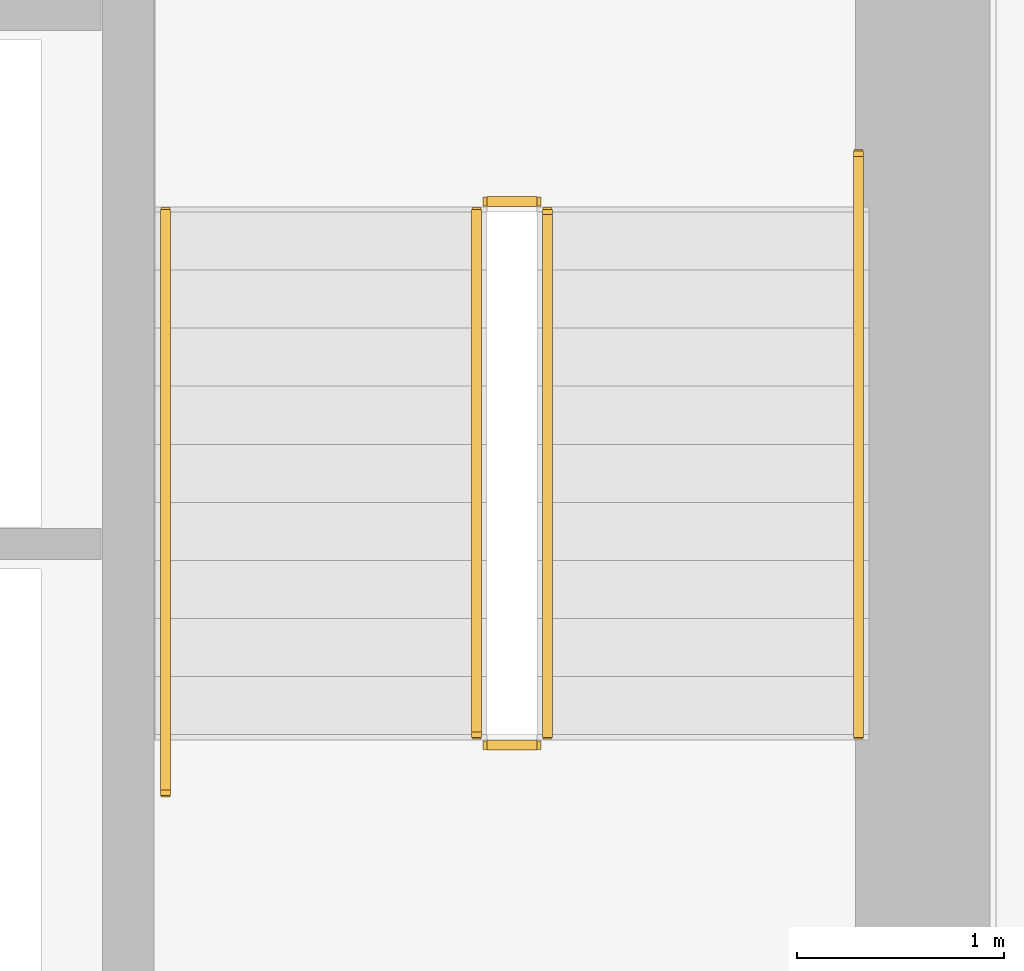
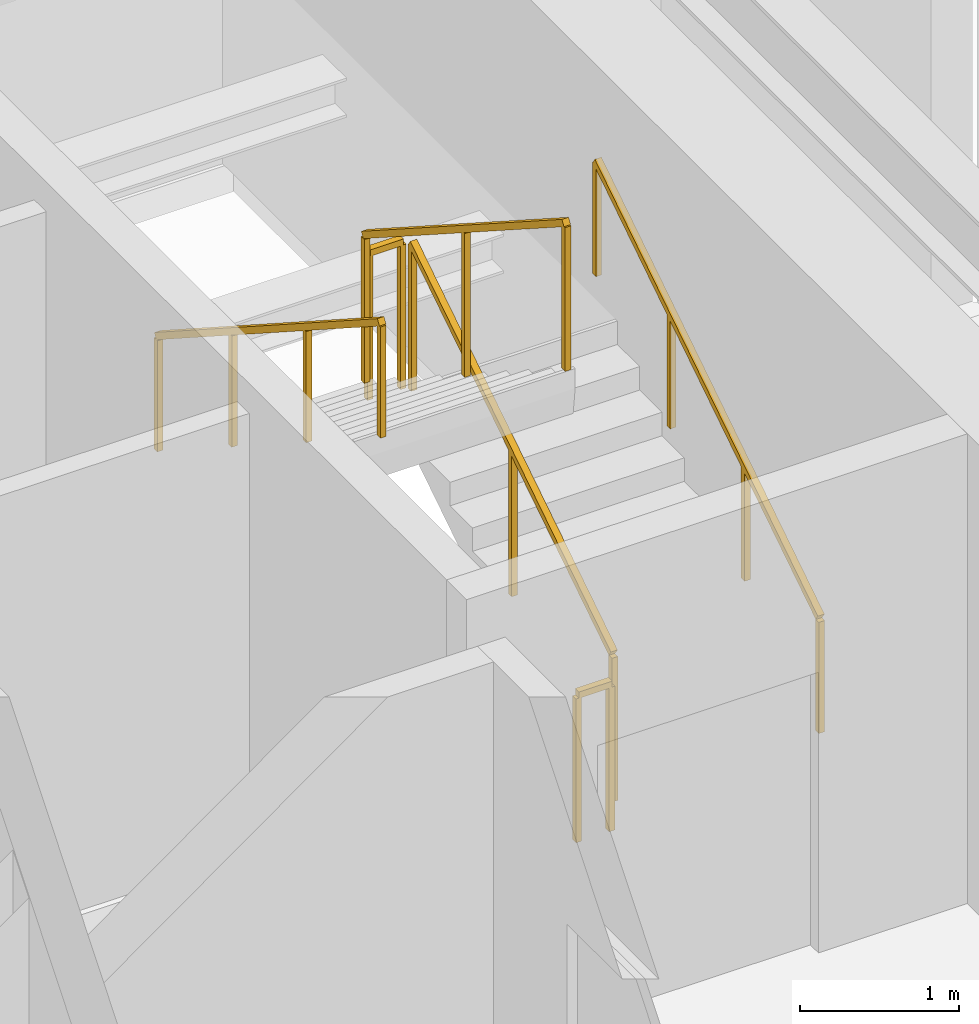
# One storey, part 26 of 27: 6 railings.
"""IFC4 building model written with IfcOpenShell, lengths in metres."""

from ifc_helpers import new_model, si_unit, direction, frame, origin, origin_2d, place, context, subcontext, project, spatial, rectangle, extrude, material, type_object, element, save


model = new_model("IFC4")

# Units and contexts
model_context = context("Model", 3, precision=1e-05, world=origin(), true_north=direction((0.0, 1.0)))
body_context = subcontext(model_context, "Body", "Model", "MODEL_VIEW")
ifc_project = project(units=[si_unit("LENGTHUNIT", "METRE"), si_unit("AREAUNIT", "SQUARE_METRE"), si_unit("VOLUMEUNIT", "CUBIC_METRE"), si_unit("PLANEANGLEUNIT", "RADIAN"), si_unit("MASSUNIT", "GRAM", prefix="KILO")], contexts=[model_context])

# Site, building, storey
site_placement = place(None, origin())
site = spatial("IfcSite", under=ifc_project, at=site_placement, CompositionType="ELEMENT")
building_placement = place(site_placement, origin())
building = spatial("IfcBuilding", under=site, at=building_placement, Name="Sumidabori Civic Tower", CompositionType="ELEMENT")
storey_placement = place(building_placement, frame((0.0, 0.0, 156.800048828125)))
storey = spatial("IfcBuildingStorey", under=building, at=storey_placement, Name="L40", CompositionType="ELEMENT", Elevation=156.800048828125)

# Railings
ifc_material_1 = material(Name="Stainless Steel Hairline Finish", Category="steel")
railing_type_1 = type_object("IfcRailingType", Name="RL-HANDRAIL", PredefinedType="HANDRAIL", material=ifc_material_1)
railing_1_placement = place(storey_placement, frame((15.2900390625, 16.0, 0.179931640625)))
element("IfcRailing", 1, at=railing_1_placement, inside=storey, type_object=railing_type_1, Name="L40 ST-2 stair handrail 1", PredefinedType="HANDRAIL", context=body_context, shape_type="SweptSolid", body=[
    extrude(rectangle(XDim=0.048095703125, YDim=0.048095703125, at=origin_2d()), frame((0.0, 0.0, 0.8759765625), z_axis=(0.0, 0.840675598268, 0.541539046124), x_axis=(-1.0, 0.0, 0.0)), (0.0, 0.0, 1.0), 3.330810546875),
    extrude(rectangle(XDim=0.0419921875, YDim=0.0419921875, at=origin_2d()), origin(), (0.0, 0.0, 1.0), 0.851806640625),
    extrude(rectangle(XDim=0.0419921875, YDim=0.0419921875, at=origin_2d()), frame((0.0, 0.933349609375, 0.601318359375)), (0.0, 0.0, 1.0), 0.851806640625),
    extrude(rectangle(XDim=0.0419921875, YDim=0.0419921875, at=origin_2d()), frame((0.0, 1.86669921875, 1.202392578125)), (0.0, 0.0, 1.0), 0.851806640625),
    extrude(rectangle(XDim=0.0419921875, YDim=0.0419921875, at=origin_2d()), frame((0.0, 2.800048828125, 1.8037109375)), (0.0, 0.0, 1.0), 0.851806640625),
])
railing_2_placement = place(storey_placement, frame((11.949951171875, 18.52001953125, 1.97998046875)))
element("IfcRailing", 2, at=railing_2_placement, inside=storey, type_object=railing_type_1, Name="L40 ST-2 stair handrail 2", PredefinedType="HANDRAIL", context=body_context, shape_type="SweptSolid", body=[
    extrude(rectangle(XDim=0.048095703125, YDim=0.048095703125, at=origin_2d()), frame((0.0, 0.0, 0.8759765625), z_axis=(0.0, -0.840675598268, 0.541539046124), x_axis=(1.0, 0.0, 0.0)), (0.0, 0.0, 1.0), 3.330810546875),
    extrude(rectangle(XDim=0.0419921875, YDim=0.0419921875, at=origin_2d()), origin(), (0.0, 0.0, 1.0), 0.851806640625),
    extrude(rectangle(XDim=0.0419921875, YDim=0.0419921875, at=origin_2d()), frame((0.0, -0.933349609375, 0.601318359375)), (0.0, 0.0, 1.0), 0.851806640625),
    extrude(rectangle(XDim=0.0419921875, YDim=0.0419921875, at=origin_2d()), frame((0.0, -1.86669921875, 1.202392578125)), (0.0, 0.0, 1.0), 0.851806640625),
    extrude(rectangle(XDim=0.0419921875, YDim=0.0419921875, at=origin_2d()), frame((0.0, -2.800048828125, 1.8037109375)), (0.0, 0.0, 1.0), 0.851806640625),
])
ifc_material_2 = material(Name="Steel SN490", Category="steel")
railing_type_2 = type_object("IfcRailingType", Name="RL-STAIR-GUARD", PredefinedType="GUARDRAIL", material=ifc_material_2)
railing_3_placement = place(storey_placement, frame((13.7900390625, 16.0, 0.179931640625)))
element("IfcRailing", 3, at=railing_3_placement, inside=storey, type_object=railing_type_2, Name="L40 ST-2 stair guard 1", PredefinedType="GUARDRAIL", context=body_context, shape_type="SweptSolid", body=[
    extrude(rectangle(XDim=0.048095703125, YDim=0.048095703125, at=origin_2d()), frame((0.0, 0.0, 1.1259765625), z_axis=(0.0, 0.841162588446, 0.540782303519), x_axis=(-1.0, 0.0, 0.0)), (0.0, 0.0, 1.0), 2.995849609375),
    extrude(rectangle(XDim=0.0419921875, YDim=0.0419921875, at=origin_2d()), origin(), (0.0, 0.0, 1.0), 1.101806640625),
    extrude(rectangle(XDim=0.0419921875, YDim=0.0419921875, at=origin_2d()), frame((0.0, 1.260009765625, 0.81005859375)), (0.0, 0.0, 1.0), 1.101806640625),
    extrude(rectangle(XDim=0.0419921875, YDim=0.0419921875, at=origin_2d()), frame((0.0, 2.52001953125, 1.6201171875)), (0.0, 0.0, 1.0), 1.101806640625),
])
railing_4_placement = place(storey_placement, frame((13.739990234375, 18.570068359375, 1.800048828125)))
element("IfcRailing", 4, at=railing_4_placement, inside=storey, type_object=railing_type_2, Name="L40 ST-2 stair guard 2", PredefinedType="GUARDRAIL", context=body_context, shape_type="SweptSolid", body=[
    extrude(rectangle(XDim=0.048095703125, YDim=0.048095703125, at=origin_2d()), frame((0.0, 0.0, 1.1259765625), z_axis=(-1.0, 0.0, 0.0), x_axis=(0.0, -1.0, 0.0)), (0.0, 0.0, 1.0), 0.239990234375),
    extrude(rectangle(XDim=0.0419921875, YDim=0.0419921875, at=origin_2d()), origin(), (0.0, 0.0, 1.0), 1.101806640625),
    extrude(rectangle(XDim=0.0419921875, YDim=0.0419921875, at=origin_2d()), frame((-0.239990234375, 0.0, 0.0)), (0.0, 0.0, 1.0), 1.101806640625),
])
railing_5_placement = place(storey_placement, frame((13.449951171875, 18.52001953125, 1.97998046875)))
element("IfcRailing", 5, at=railing_5_placement, inside=storey, type_object=railing_type_2, Name="L40 ST-2 stair guard 3", PredefinedType="GUARDRAIL", context=body_context, shape_type="SweptSolid", body=[
    extrude(rectangle(XDim=0.048095703125, YDim=0.048095703125, at=origin_2d()), frame((0.0, 0.0, 1.1259765625), z_axis=(0.0, -0.841199657755, 0.540724639528), x_axis=(1.0, 0.0, 0.0)), (0.0, 0.0, 1.0), 2.995849609375),
    extrude(rectangle(XDim=0.0419921875, YDim=0.0419921875, at=origin_2d()), origin(), (0.0, 0.0, 1.0), 1.101806640625),
    extrude(rectangle(XDim=0.0419921875, YDim=0.0419921875, at=origin_2d()), frame((0.0, -1.260009765625, 0.81005859375)), (0.0, 0.0, 1.0), 1.101806640625),
    extrude(rectangle(XDim=0.0419921875, YDim=0.0419921875, at=origin_2d()), frame((0.0, -2.52001953125, 1.619873046875)), (0.0, 0.0, 1.0), 1.101806640625),
])
railing_6_placement = place(storey_placement, frame((13.739990234375, 15.949951171875, 0.0)))
element("IfcRailing", 6, at=railing_6_placement, inside=storey, type_object=railing_type_2, Name="L40 ST-2 stair guard 4", PredefinedType="GUARDRAIL", context=body_context, shape_type="SweptSolid", body=[
    extrude(rectangle(XDim=0.048095703125, YDim=0.048095703125, at=origin_2d()), frame((0.0, 0.0, 1.1259765625), z_axis=(-1.0, 0.0, 0.0), x_axis=(0.0, -1.0, 0.0)), (0.0, 0.0, 1.0), 0.239990234375),
    extrude(rectangle(XDim=0.0419921875, YDim=0.0419921875, at=origin_2d()), origin(), (0.0, 0.0, 1.0), 1.101806640625),
    extrude(rectangle(XDim=0.0419921875, YDim=0.0419921875, at=origin_2d()), frame((-0.239990234375, 0.0, 0.0)), (0.0, 0.0, 1.0), 1.101806640625),
])

save(model, "model.ifc")
